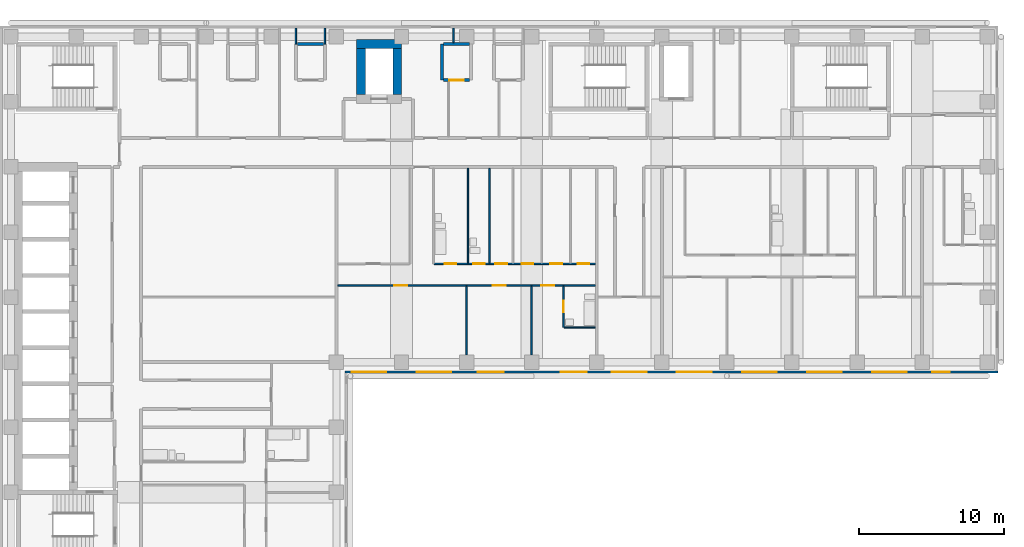
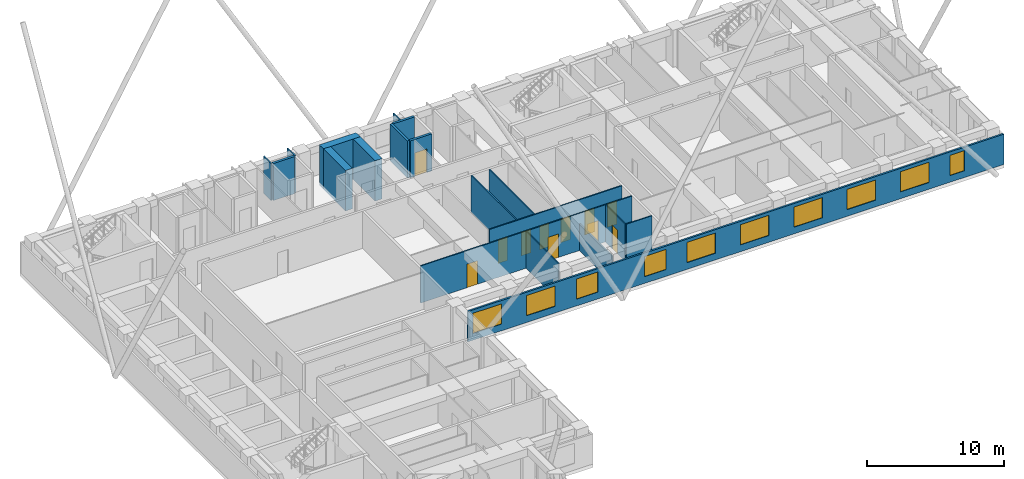
# One storey, part 7 of 13: 19 walls, 11 doors, 10 windows, 21 openings.
"""IFC4 building model written with IfcOpenShell, lengths in metres."""

import ifcopenshell
import ifcopenshell.guid

model = None  # the IFC model being written
_history = None  # IfcOwnerHistory: only IFC2X3 demands one
_inside = {}  # id of a spatial element -> (the spatial element, [elements in it])
_under = {}  # id of a project, library or spatial element -> (it, [spatial elements below it])
_declared = {}  # id of a project -> (the project, [libraries it declares])
_typed = {}  # id of a type object -> (the type object, [elements of that type])
_made_of = {}  # id of a material, layer set ... -> (it, [elements and type objects made of it])


def new_model(schema):
    """Start an empty IFC model of exactly this schema.

    Asked for "IFC4X3", IfcOpenShell would pick the latest addendum, in which some entities
    have other attributes; the version numbers below select the first issue.
    IFC2X3 requires an IfcOwnerHistory on every rooted entity: one is made here for all.
    """
    global model, _history
    if schema == "IFC4X3":
        model = ifcopenshell.file(schema_version=(4, 3, 0, 0))
    else:
        model = ifcopenshell.file(schema=schema)
    _inside.clear()
    _under.clear()
    _declared.clear()
    _typed.clear()
    _made_of.clear()
    _history = None
    if model.schema == "IFC2X3":
        org = make("IfcOrganization", Name="unknown")
        user = make(
            "IfcPersonAndOrganization",
            ThePerson=make("IfcPerson", FamilyName="unknown"),
            TheOrganization=org,
        )
        app = make(
            "IfcApplication",
            ApplicationDeveloper=org,
            Version="unknown",
            ApplicationFullName="unknown",
            ApplicationIdentifier="unknown",
        )
        _history = make(
            "IfcOwnerHistory",
            OwningUser=user,
            OwningApplication=app,
            ChangeAction="ADDED",
            CreationDate=0,
        )
    return model


def make(cls, **values):
    """One entity of the class cls with the attributes given. An attribute that is None is left unset."""
    return model.create_entity(
        cls, **{name: value for name, value in values.items() if value is not None}
    )


def rooted(cls, **values):
    """An entity with a GlobalId (a new one), such as an element, a storey or a relation."""
    return make(cls, GlobalId=ifcopenshell.guid.new(), OwnerHistory=_history, **values)


def si_unit(unit_type, name, prefix=None):
    """IfcSIUnit, for example si_unit("LENGTHUNIT", "METRE", prefix="MILLI")."""
    return make("IfcSIUnit", UnitType=unit_type, Prefix=prefix, Name=name)


def assignment(units):
    """IfcUnitAssignment: the units of a project."""
    return None if units is None else make("IfcUnitAssignment", Units=units)


def point(xyz):
    """IfcCartesianPoint."""
    return None if xyz is None else make("IfcCartesianPoint", Coordinates=xyz)


def direction(xyz):
    """IfcDirection."""
    return None if xyz is None else make("IfcDirection", DirectionRatios=xyz)


def frame(location, z_axis=None, x_axis=None):
    """IfcAxis2Placement3D, a coordinate frame: its origin and axes. An axis left out is left unset."""
    return make(
        "IfcAxis2Placement3D",
        Location=point(location),
        Axis=direction(z_axis),
        RefDirection=direction(x_axis),
    )


def frame_2d(location, x_axis=None):
    """IfcAxis2Placement2D, a coordinate frame in the plane: its origin and x axis."""
    return make(
        "IfcAxis2Placement2D", Location=point(location), RefDirection=direction(x_axis)
    )


def origin():
    """The frame at (0, 0, 0) with its axes left unset."""
    return frame((0.0, 0.0, 0.0))


def place(relative_to, where):
    """IfcLocalPlacement: puts the frame where relative to a parent placement (None: the world)."""
    return make(
        "IfcLocalPlacement", PlacementRelTo=relative_to, RelativePlacement=where
    )


def context(
    kind, dimensions, precision=None, world=None, true_north=None, identifier=None
):
    """IfcGeometricRepresentationContext, for example the 3D "Model" context."""
    return make(
        "IfcGeometricRepresentationContext",
        ContextIdentifier=identifier,
        ContextType=kind,
        CoordinateSpaceDimension=dimensions,
        Precision=precision,
        WorldCoordinateSystem=world,
        TrueNorth=true_north,
    )


def subcontext(parent, identifier, kind, view, scale=None):
    """IfcGeometricRepresentationSubContext, for example "Body" below "Model"."""
    return make(
        "IfcGeometricRepresentationSubContext",
        ContextIdentifier=identifier,
        ContextType=kind,
        ParentContext=parent,
        TargetScale=scale,
        TargetView=view,
    )


def project(units=None, contexts=None):
    """IfcProject with its units and contexts."""
    return rooted(
        "IfcProject",
        Name="project",
        RepresentationContexts=contexts,
        UnitsInContext=assignment(units),
    )


def spatial(cls, under=None, at=None, **own):
    """A site, building, storey or space (cls), placed at a placement, below another one or the project."""
    s = rooted(cls, ObjectPlacement=at, **own)
    if under is not None:
        _under.setdefault(under.id(), (under, []))[1].append(s)
    return s


def profile(cls, at=None, kind="AREA", **sizes):
    """A parametric profile (cls). Its sizes go by their IFC names, for example OverallWidth=200.0."""
    return make(cls, ProfileType=kind, Position=at, **sizes)


def rectangle(**sizes):
    """IfcRectangleProfileDef."""
    return profile("IfcRectangleProfileDef", **sizes)


def extrude(swept, where, along, depth):
    """IfcExtrudedAreaSolid: the profile swept, set in the frame where, extruded along a direction by depth."""
    return make(
        "IfcExtrudedAreaSolid",
        SweptArea=swept,
        Position=where,
        ExtrudedDirection=direction(along),
        Depth=depth,
    )


def shape(context_of_items, identifier, shape_type, items):
    """IfcShapeRepresentation: the items that make up one representation, for example the "Body"."""
    return make(
        "IfcShapeRepresentation",
        ContextOfItems=context_of_items,
        RepresentationIdentifier=identifier,
        RepresentationType=shape_type,
        Items=items,
    )


def material(Name=None, Category=None):
    """IfcMaterial."""
    return make("IfcMaterial", Name=Name, Category=Category)


def layer(
    of_material, thickness, ventilated=None, Name=None, Category=None, Priority=None
):
    """IfcMaterialLayer: one layer of a wall or slab, of a material (None: an air gap)."""
    return make(
        "IfcMaterialLayer",
        Material=of_material,
        LayerThickness=thickness,
        IsVentilated=ventilated,
        Name=Name,
        Category=Category,
        Priority=Priority,
    )


def layer_set(layers, Name=None):
    """IfcMaterialLayerSet."""
    return make("IfcMaterialLayerSet", MaterialLayers=layers, LayerSetName=Name)


def made_of(thing, what):
    """Note that an element or type object is made of a material, layer set ...; save() writes the relation."""
    if what is not None:
        _made_of.setdefault(what.id(), (what, []))[1].append(thing)
    return thing


def type_object(cls, material=None, **own):
    """A type object (cls), such as IfcWallType, which elements share."""
    return made_of(rooted(cls, **own), material)


def element(
    cls,
    number,
    at=None,
    inside=None,
    cuts=None,
    type_object=None,
    material=None,
    context=None,
    identifier="Body",
    shape_type=None,
    held_by="IfcProductDefinitionShape",
    body=None,
    shapes=None,
    **own,
):
    """One element of the class cls, such as IfcWall. Its Tag is "e" and its number.

    at: its placement. inside: the storey or other place that contains it. cuts: it is an
    opening in that element (IfcRelVoidsElement). A single representation is given by context,
    identifier, shape_type and body (its items); several are given by shapes. held_by: the class
    of the entity that holds the representations. save() writes the other relations.
    """
    e = rooted(cls, Tag="e%d" % number, ObjectPlacement=at, **own)
    if body is not None:
        shapes = [shape(context, identifier, shape_type, body)]
    if shapes is not None:
        e.Representation = make(held_by, Representations=shapes)
    if inside is not None:
        _inside.setdefault(inside.id(), (inside, []))[1].append(e)
    if cuts is not None:
        rooted(
            "IfcRelVoidsElement", RelatingBuildingElement=cuts, RelatedOpeningElement=e
        )
    if type_object is not None:
        _typed.setdefault(type_object.id(), (type_object, []))[1].append(e)
    return made_of(e, material)


def fill(opening, filler):
    """IfcRelFillsElement: the door or window that sits in an opening."""
    return rooted(
        "IfcRelFillsElement",
        RelatingOpeningElement=opening,
        RelatedBuildingElement=filler,
    )


def aggregate(whole, parts):
    """IfcRelAggregates: a whole, such as a stair, and the parts it consists of."""
    return rooted("IfcRelAggregates", RelatingObject=whole, RelatedObjects=parts)


def save(model, path):
    """Write the relations noted so far, then the file.

    IfcRelAggregates (storeys below a building ...), IfcRelContainedInSpatialStructure (elements
    in a storey), IfcRelDefinesByType, IfcRelAssociatesMaterial and IfcRelDeclares: one each for
    every whole, place, type object, material and project.
    """
    for whole, parts in _under.values():
        aggregate(whole, parts)
    for where, things in _inside.values():
        rooted(
            "IfcRelContainedInSpatialStructure",
            RelatedElements=things,
            RelatingStructure=where,
        )
    for kind, things in _typed.values():
        rooted("IfcRelDefinesByType", RelatedObjects=things, RelatingType=kind)
    for what, things in _made_of.values():
        rooted("IfcRelAssociatesMaterial", RelatedObjects=things, RelatingMaterial=what)
    for by, libraries in _declared.values():
        rooted("IfcRelDeclares", RelatingContext=by, RelatedDefinitions=libraries)
    model.write(path)


model = new_model("IFC4")

# Units and contexts
model_context = context("Model", 3, precision=1e-05, world=origin(), true_north=direction((0.0, 1.0)))
body_context = subcontext(model_context, "Body", "Model", "MODEL_VIEW")
ifc_project = project(units=[si_unit("LENGTHUNIT", "METRE"), si_unit("AREAUNIT", "SQUARE_METRE"), si_unit("VOLUMEUNIT", "CUBIC_METRE"), si_unit("PLANEANGLEUNIT", "RADIAN"), si_unit("MASSUNIT", "GRAM", prefix="KILO")], contexts=[model_context])

# Site, building, storey
site_placement = place(None, origin())
site = spatial("IfcSite", under=ifc_project, at=site_placement, CompositionType="ELEMENT")
building_placement = place(site_placement, origin())
building = spatial("IfcBuilding", under=site, at=building_placement, Name="Firuza Court", CompositionType="ELEMENT")
storey_placement = place(building_placement, frame((0.0, 0.0, 162.800048828125)))
storey = spatial("IfcBuildingStorey", under=building, at=storey_placement, Name="L41", CompositionType="ELEMENT", Elevation=162.800048828125)

# Wall, opening, door
ifc_material_1 = material(Name="Moisture-resistant gypsum board partition")
ifc_layer_1 = layer(ifc_material_1, 0.10009765625)
ifc_layer_set_1 = layer_set([ifc_layer_1], Name="Moisture-resistant gypsum board partition")
wall_type_1 = type_object("IfcWallType", Name="Bathroom partition 100", PredefinedType="PLUMBINGWALL", material=ifc_layer_set_1)
wall_1_placement = place(storey_placement, frame((38.199951171875, 38.39990234375, 0.0), z_axis=(0.0, 0.0, 1.0), x_axis=(0.0, 1.0, 0.0)))
wall_1 = element("IfcWall", 1, at=wall_1_placement, inside=storey, type_object=wall_type_1, Name="Bathroom partition 100 L41", PredefinedType="PLUMBINGWALL", context=body_context, shape_type="SweptSolid", body=[
    extrude(rectangle(XDim=2.85009765625, YDim=0.10009765625, at=frame_2d((1.425048828125, 0.0))), origin(), (0.0, 0.0, 1.0), 3.300048828125),
])
opening_1_placement = place(wall_1_placement, frame((1.050048828125, 0.0, 0.0)))
opening_1 = element("IfcOpeningElement", 2, at=opening_1_placement, cuts=wall_1, Name="Opening D41039", PredefinedType="OPENING", context=body_context, shape_type="SweptSolid", body=[
    extrude(rectangle(XDim=0.800048828125, YDim=2.10009765625, at=frame_2d((0.39990234375, 1.050048828125))), frame((0.0, 0.06201171875, 0.0), z_axis=(0.0, -1.0, 0.0), x_axis=(1.0, 0.0, 0.0)), (0.0, 0.0, 1.0), 0.1240234375),
])
ifc_material_2 = material(Name="Timber door leaf in hardwood frame", Category="wood")
door_type_1 = type_object("IfcDoorType", Name="Bathroom door 800", OperationType="SINGLE_SWING_LEFT", PredefinedType="DOOR", material=ifc_material_2)
door_1_placement = place(opening_1_placement, frame((0.800048828125, 0.0, 0.0), z_axis=(0.0, 0.0, 1.0), x_axis=(-1.0, 0.0, 0.0)))
door_1 = element("IfcDoor", 3, at=door_1_placement, inside=storey, type_object=door_type_1, Name="En-suite door", OperationType="SINGLE_SWING_RIGHT", OverallHeight=2.10009765625, OverallWidth=0.800048828125, PredefinedType="DOOR", context=body_context, shape_type="SweptSolid", body=[
    extrude(rectangle(XDim=0.800048828125, YDim=2.10009765625, at=frame_2d((0.39990234375, 1.050048828125))), frame((0.0, 0.02490234375, 0.0), z_axis=(0.0, -1.0, 0.0), x_axis=(1.0, 0.0, 0.0)), (0.0, 0.0, 1.0), 0.050048828125),
])
fill(opening_1, door_1)

# Walls
wall_2_placement = place(storey_placement, frame((38.25, 38.39990234375, 0.0), z_axis=(0.0, 0.0, 1.0), x_axis=(1.0, 0.0, 0.0)))
element("IfcWall", 4, at=wall_2_placement, inside=storey, type_object=wall_type_1, Name="Bathroom partition 100 L41", PredefinedType="PLUMBINGWALL", context=body_context, shape_type="SweptSolid", body=[
    extrude(rectangle(XDim=2.14990234375, YDim=0.10009765625, at=frame_2d((1.074951171875, 0.0))), origin(), (0.0, 0.0, 1.0), 3.300048828125),
])
for number, where, z_axis, x_axis, name in (
    (5, (31.60009765625, 42.85009765625, 0.0), (0.0, 0.0, 1.0), (0.0, 1.0, 0.0), "Bathroom partition 100 L41"),
    (6, (33.10009765625, 42.85009765625, 0.0), (0.0, 0.0, 1.0), (0.0, 1.0, 0.0), "Bathroom partition 100 L41"),
):
    element("IfcWall", number, at=place(storey_placement, frame(where, z_axis=z_axis, x_axis=x_axis)), inside=storey, type_object=wall_type_1, Name=name, PredefinedType="PLUMBINGWALL", context=body_context, shape_type="SweptSolid", body=[
        extrude(rectangle(XDim=6.5498046875, YDim=0.10009765625, at=frame_2d((3.27490234375, 0.0))), origin(), (0.0, 0.0, 1.0), 3.300048828125),
    ])
ifc_material_3 = material(Name="Concrete C60/75", Category="concrete")
ifc_layer_2 = layer(ifc_material_3, 0.60009765625)
ifc_layer_set_2 = layer_set([ifc_layer_2], Name="Concrete C60/75")
wall_type_2 = type_object("IfcWallType", Name="Core wall 600 C60/75", PredefinedType="SHEAR", material=ifc_layer_set_2)
wall_3_placement = place(storey_placement, frame((23.89990234375, 58.0, -0.300048828125), z_axis=(0.0, 0.0, 1.0), x_axis=(1.0, 0.0, 0.0)))
element("IfcWall", 7, at=wall_3_placement, inside=storey, type_object=wall_type_2, Name="Core wall lift shaft L41", PredefinedType="SHEAR", context=body_context, shape_type="SweptSolid", body=[
    extrude(rectangle(XDim=3.10009765625, YDim=0.60009765625, at=frame_2d((1.550048828125, 0.0))), origin(), (0.0, 0.0, 1.0), 3.60009765625),
])
for number, where, z_axis, x_axis, name in (
    (8, (24.199951171875, 54.5, -0.300048828125), (0.0, 0.0, 1.0), (0.0, 1.0, 0.0), "Core wall lift shaft L41"),
    (9, (26.699951171875, 54.5, -0.300048828125), (0.0, 0.0, 1.0), (0.0, 1.0, 0.0), "Core wall lift shaft L41"),
):
    element("IfcWall", number, at=place(storey_placement, frame(where, z_axis=z_axis, x_axis=x_axis)), inside=storey, type_object=wall_type_2, Name=name, PredefinedType="SHEAR", context=body_context, shape_type="SweptSolid", body=[
        extrude(rectangle(XDim=3.199951171875, YDim=0.60009765625, at=frame_2d((1.60009765625, 0.0))), origin(), (0.0, 0.0, 1.0), 3.60009765625),
    ])
ifc_material_4 = material(Name="Timber stud partition, plasterboard both sides", Category="wood")
ifc_layer_3 = layer(ifc_material_4, 0.10009765625)
ifc_layer_set_3 = layer_set([ifc_layer_3], Name="Timber stud partition, plasterboard both sides")
wall_type_3 = type_object("IfcWallType", Name="Partition wall 100", PredefinedType="PARTITIONING", material=ifc_layer_set_3)
wall_4_placement = place(storey_placement, frame((31.5, 36.5, 0.0), z_axis=(0.0, 0.0, 1.0), x_axis=(0.0, 1.0, 0.0)))
element("IfcWall", 10, at=wall_4_placement, inside=storey, type_object=wall_type_3, Name="Partition wall 100 L41", PredefinedType="PARTITIONING", context=body_context, shape_type="SweptSolid", body=[
    extrude(rectangle(XDim=4.75, YDim=0.10009765625, at=frame_2d((2.375, 0.0))), origin(), (0.0, 0.0, 1.0), 3.300048828125),
])
wall_5_placement = place(storey_placement, frame((36.0, 36.5, 0.0), z_axis=(0.0, 0.0, 1.0), x_axis=(0.0, 1.0, 0.0)))
element("IfcWall", 11, at=wall_5_placement, inside=storey, type_object=wall_type_3, Name="Partition wall 100 L41", PredefinedType="PARTITIONING", context=body_context, shape_type="SweptSolid", body=[
    extrude(rectangle(XDim=4.75, YDim=0.10009765625, at=frame_2d((2.375, 0.0))), origin(), (0.0, 0.0, 1.0), 2.39990234375),
])

# Wall, openings, doors
wall_6_placement = place(storey_placement, frame((22.60009765625, 41.300048828125, 0.0), z_axis=(0.0, 0.0, 1.0), x_axis=(1.0, 0.0, 0.0)))
wall_6 = element("IfcWall", 12, at=wall_6_placement, inside=storey, type_object=wall_type_3, Name="Partition wall 100 L41", PredefinedType="PARTITIONING", context=body_context, shape_type="SweptSolid", body=[
    extrude(rectangle(XDim=17.7998046875, YDim=0.10009765625, at=frame_2d((8.89990234375, 0.0))), origin(), (0.0, 0.0, 1.0), 3.300048828125),
])
opening_2_placement = place(wall_6_placement, frame((3.89990234375, 0.0, 0.0)))
opening_2 = element("IfcOpeningElement", 13, at=opening_2_placement, cuts=wall_6, Name="Opening D41046", PredefinedType="OPENING", context=body_context, shape_type="SweptSolid", body=[
    extrude(rectangle(XDim=0.89990234375, YDim=2.10009765625, at=frame_2d((0.449951171875, 1.050048828125))), frame((0.0, 0.06201171875, 0.0), z_axis=(0.0, -1.0, 0.0), x_axis=(1.0, 0.0, 0.0)), (0.0, 0.0, 1.0), 0.1240234375),
])
opening_3_placement = place(wall_6_placement, frame((10.699951171875, 0.0, 0.0)))
opening_3 = element("IfcOpeningElement", 14, at=opening_3_placement, cuts=wall_6, Name="Opening D41047", PredefinedType="OPENING", context=body_context, shape_type="SweptSolid", body=[
    extrude(rectangle(XDim=0.89990234375, YDim=2.10009765625, at=frame_2d((0.449951171875, 1.050048828125))), frame((0.0, 0.06201171875, 0.0), z_axis=(0.0, -1.0, 0.0), x_axis=(1.0, 0.0, 0.0)), (0.0, 0.0, 1.0), 0.1240234375),
])
opening_4_placement = place(wall_6_placement, frame((14.050048828125, 0.0, 0.0)))
opening_4 = element("IfcOpeningElement", 15, at=opening_4_placement, cuts=wall_6, Name="Opening D41048", PredefinedType="OPENING", context=body_context, shape_type="SweptSolid", body=[
    extrude(rectangle(XDim=0.89990234375, YDim=2.10009765625, at=frame_2d((0.449951171875, 1.050048828125))), frame((0.0, 0.06201171875, 0.0), z_axis=(0.0, -1.0, 0.0), x_axis=(1.0, 0.0, 0.0)), (0.0, 0.0, 1.0), 0.1240234375),
])
ifc_material_5 = material(Name="Timber door leaf in hardwood frame", Category="wood")
door_type_2 = type_object("IfcDoorType", Name="Room door 900", OperationType="SINGLE_SWING_LEFT", PredefinedType="DOOR", material=ifc_material_5)
door_2_placement = place(opening_2_placement, frame((0.89990234375, 0.0, 0.0), z_axis=(0.0, 0.0, 1.0), x_axis=(-1.0, 0.0, 0.0)))
door_2 = element("IfcDoor", 16, at=door_2_placement, inside=storey, type_object=door_type_2, Name="Living room door", OperationType="SINGLE_SWING_RIGHT", OverallHeight=2.10009765625, OverallWidth=0.89990234375, PredefinedType="DOOR", context=body_context, shape_type="SweptSolid", body=[
    extrude(rectangle(XDim=0.89990234375, YDim=2.10009765625, at=frame_2d((0.449951171875, 1.050048828125))), frame((0.0, 0.02490234375, 0.0), z_axis=(0.0, -1.0, 0.0), x_axis=(1.0, 0.0, 0.0)), (0.0, 0.0, 1.0), 0.050048828125),
])
fill(opening_2, door_2)
door_3_placement = place(opening_3_placement, frame((0.89990234375, 0.0, 0.0), z_axis=(0.0, 0.0, 1.0), x_axis=(-1.0, 0.0, 0.0)))
door_3 = element("IfcDoor", 17, at=door_3_placement, inside=storey, type_object=door_type_2, Name="Bedroom door", OperationType="SINGLE_SWING_RIGHT", OverallHeight=2.10009765625, OverallWidth=0.89990234375, PredefinedType="DOOR", context=body_context, shape_type="SweptSolid", body=[
    extrude(rectangle(XDim=0.89990234375, YDim=2.10009765625, at=frame_2d((0.449951171875, 1.050048828125))), frame((0.0, 0.02490234375, 0.0), z_axis=(0.0, -1.0, 0.0), x_axis=(1.0, 0.0, 0.0)), (0.0, 0.0, 1.0), 0.050048828125),
])
fill(opening_3, door_3)
door_4_placement = place(opening_4_placement, frame((0.89990234375, 0.0, 0.0), z_axis=(0.0, 0.0, 1.0), x_axis=(-1.0, 0.0, 0.0)))
door_4 = element("IfcDoor", 18, at=door_4_placement, inside=storey, type_object=door_type_2, Name="Bedroom door", OperationType="SINGLE_SWING_RIGHT", OverallHeight=2.10009765625, OverallWidth=0.89990234375, PredefinedType="DOOR", context=body_context, shape_type="SweptSolid", body=[
    extrude(rectangle(XDim=0.89990234375, YDim=2.10009765625, at=frame_2d((0.449951171875, 1.050048828125))), frame((0.0, 0.02490234375, 0.0), z_axis=(0.0, -1.0, 0.0), x_axis=(1.0, 0.0, 0.0)), (0.0, 0.0, 1.0), 0.050048828125),
])
fill(opening_4, door_4)

wall_7_placement = place(storey_placement, frame((29.25, 42.800048828125, 0.0), z_axis=(0.0, 0.0, 1.0), x_axis=(1.0, 0.0, 0.0)))
wall_7 = element("IfcWall", 19, at=wall_7_placement, inside=storey, type_object=wall_type_3, Name="Partition wall 100 L41", PredefinedType="PARTITIONING", context=body_context, shape_type="SweptSolid", body=[
    extrude(rectangle(XDim=11.14990234375, YDim=0.10009765625, at=frame_2d((5.574951171875, 0.0))), origin(), (0.0, 0.0, 1.0), 3.300048828125),
])
opening_5_placement = place(wall_7_placement, frame((0.75, 0.0, 0.0)))
opening_5 = element("IfcOpeningElement", 20, at=opening_5_placement, cuts=wall_7, Name="Opening D41054", PredefinedType="OPENING", context=body_context, shape_type="SweptSolid", body=[
    extrude(rectangle(XDim=0.800048828125, YDim=2.10009765625, at=frame_2d((0.39990234375, 1.050048828125))), frame((0.0, 0.06201171875, 0.0), z_axis=(0.0, -1.0, 0.0), x_axis=(1.0, 0.0, 0.0)), (0.0, 0.0, 1.0), 0.1240234375),
])
opening_6_placement = place(wall_7_placement, frame((8.050048828125, 0.0, 0.0)))
opening_6 = element("IfcOpeningElement", 21, at=opening_6_placement, cuts=wall_7, Name="Opening D41055", PredefinedType="OPENING", context=body_context, shape_type="SweptSolid", body=[
    extrude(rectangle(XDim=0.800048828125, YDim=2.10009765625, at=frame_2d((0.39990234375, 1.050048828125))), frame((0.0, 0.06201171875, 0.0), z_axis=(0.0, -1.0, 0.0), x_axis=(1.0, 0.0, 0.0)), (0.0, 0.0, 1.0), 0.1240234375),
])
opening_7_placement = place(wall_7_placement, frame((4.25, 0.0, 0.0)))
opening_7 = element("IfcOpeningElement", 22, at=opening_7_placement, cuts=wall_7, Name="Opening D41056", PredefinedType="OPENING", context=body_context, shape_type="SweptSolid", body=[
    extrude(rectangle(XDim=0.800048828125, YDim=2.10009765625, at=frame_2d((0.39990234375, 1.050048828125))), frame((0.0, 0.06201171875, 0.0), z_axis=(0.0, -1.0, 0.0), x_axis=(1.0, 0.0, 0.0)), (0.0, 0.0, 1.0), 0.1240234375),
])
opening_8_placement = place(wall_7_placement, frame((6.050048828125, 0.0, 0.0)))
opening_8 = element("IfcOpeningElement", 23, at=opening_8_placement, cuts=wall_7, Name="Opening D41057", PredefinedType="OPENING", context=body_context, shape_type="SweptSolid", body=[
    extrude(rectangle(XDim=0.800048828125, YDim=2.10009765625, at=frame_2d((0.39990234375, 1.050048828125))), frame((0.0, 0.06201171875, 0.0), z_axis=(0.0, -1.0, 0.0), x_axis=(1.0, 0.0, 0.0)), (0.0, 0.0, 1.0), 0.1240234375),
])
opening_9_placement = place(wall_7_placement, frame((9.949951171875, 0.0, 0.0)))
opening_9 = element("IfcOpeningElement", 24, at=opening_9_placement, cuts=wall_7, Name="Opening D41058", PredefinedType="OPENING", context=body_context, shape_type="SweptSolid", body=[
    extrude(rectangle(XDim=0.800048828125, YDim=2.10009765625, at=frame_2d((0.39990234375, 1.050048828125))), frame((0.0, 0.06201171875, 0.0), z_axis=(0.0, -1.0, 0.0), x_axis=(1.0, 0.0, 0.0)), (0.0, 0.0, 1.0), 0.1240234375),
])
opening_10_placement = place(wall_7_placement, frame((2.699951171875, 0.0, 0.0)))
opening_10 = element("IfcOpeningElement", 25, at=opening_10_placement, cuts=wall_7, Name="Opening D41059", PredefinedType="OPENING", context=body_context, shape_type="SweptSolid", body=[
    extrude(rectangle(XDim=0.800048828125, YDim=2.10009765625, at=frame_2d((0.39990234375, 1.050048828125))), frame((0.0, 0.06201171875, 0.0), z_axis=(0.0, -1.0, 0.0), x_axis=(1.0, 0.0, 0.0)), (0.0, 0.0, 1.0), 0.1240234375),
])
door_5_placement = place(opening_5_placement, origin())
door_5 = element("IfcDoor", 26, at=door_5_placement, inside=storey, type_object=door_type_1, Name="Bathroom door", OperationType="SINGLE_SWING_LEFT", OverallHeight=2.10009765625, OverallWidth=0.800048828125, PredefinedType="DOOR", context=body_context, shape_type="SweptSolid", body=[
    extrude(rectangle(XDim=0.800048828125, YDim=2.10009765625, at=frame_2d((0.39990234375, 1.050048828125))), frame((0.0, 0.02490234375, 0.0), z_axis=(0.0, -1.0, 0.0), x_axis=(1.0, 0.0, 0.0)), (0.0, 0.0, 1.0), 0.050048828125),
])
fill(opening_5, door_5)
door_6_placement = place(opening_10_placement, origin())
door_6 = element("IfcDoor", 27, at=door_6_placement, inside=storey, type_object=door_type_1, Name="Powder room door", OperationType="SINGLE_SWING_LEFT", OverallHeight=2.10009765625, OverallWidth=0.800048828125, PredefinedType="DOOR", context=body_context, shape_type="SweptSolid", body=[
    extrude(rectangle(XDim=0.800048828125, YDim=2.10009765625, at=frame_2d((0.39990234375, 1.050048828125))), frame((0.0, 0.02490234375, 0.0), z_axis=(0.0, -1.0, 0.0), x_axis=(1.0, 0.0, 0.0)), (0.0, 0.0, 1.0), 0.050048828125),
])
fill(opening_10, door_6)
ifc_material_6 = material(Name="Timber door leaf in hardwood frame", Category="wood")
door_type_3 = type_object("IfcDoorType", Name="Room door 800", OperationType="SINGLE_SWING_LEFT", PredefinedType="DOOR", material=ifc_material_6)
door_7_placement = place(opening_6_placement, origin())
door_7 = element("IfcDoor", 28, at=door_7_placement, inside=storey, type_object=door_type_3, Name="Pantry door", OperationType="SINGLE_SWING_LEFT", OverallHeight=2.10009765625, OverallWidth=0.800048828125, PredefinedType="DOOR", context=body_context, shape_type="SweptSolid", body=[
    extrude(rectangle(XDim=0.800048828125, YDim=2.10009765625, at=frame_2d((0.39990234375, 1.050048828125))), frame((0.0, 0.02490234375, 0.0), z_axis=(0.0, -1.0, 0.0), x_axis=(1.0, 0.0, 0.0)), (0.0, 0.0, 1.0), 0.050048828125),
])
fill(opening_6, door_7)
door_8_placement = place(opening_7_placement, origin())
door_8 = element("IfcDoor", 29, at=door_8_placement, inside=storey, type_object=door_type_3, Name="Store door", OperationType="SINGLE_SWING_LEFT", OverallHeight=2.10009765625, OverallWidth=0.800048828125, PredefinedType="DOOR", context=body_context, shape_type="SweptSolid", body=[
    extrude(rectangle(XDim=0.800048828125, YDim=2.10009765625, at=frame_2d((0.39990234375, 1.050048828125))), frame((0.0, 0.02490234375, 0.0), z_axis=(0.0, -1.0, 0.0), x_axis=(1.0, 0.0, 0.0)), (0.0, 0.0, 1.0), 0.050048828125),
])
fill(opening_7, door_8)
door_9_placement = place(opening_8_placement, origin())
door_9 = element("IfcDoor", 30, at=door_9_placement, inside=storey, type_object=door_type_3, Name="Utility room door", OperationType="SINGLE_SWING_LEFT", OverallHeight=2.10009765625, OverallWidth=0.800048828125, PredefinedType="DOOR", context=body_context, shape_type="SweptSolid", body=[
    extrude(rectangle(XDim=0.800048828125, YDim=2.10009765625, at=frame_2d((0.39990234375, 1.050048828125))), frame((0.0, 0.02490234375, 0.0), z_axis=(0.0, -1.0, 0.0), x_axis=(1.0, 0.0, 0.0)), (0.0, 0.0, 1.0), 0.050048828125),
])
fill(opening_8, door_9)
door_10_placement = place(opening_9_placement, origin())
door_10 = element("IfcDoor", 31, at=door_10_placement, inside=storey, type_object=door_type_3, Name="Walk-in wardrobe door", OperationType="SINGLE_SWING_LEFT", OverallHeight=2.10009765625, OverallWidth=0.800048828125, PredefinedType="DOOR", context=body_context, shape_type="SweptSolid", body=[
    extrude(rectangle(XDim=0.800048828125, YDim=2.10009765625, at=frame_2d((0.39990234375, 1.050048828125))), frame((0.0, 0.02490234375, 0.0), z_axis=(0.0, -1.0, 0.0), x_axis=(1.0, 0.0, 0.0)), (0.0, 0.0, 1.0), 0.050048828125),
])
fill(opening_9, door_10)

# Walls
for number, where, z_axis, x_axis, name in (
    (32, (19.699951171875, 58.0, 0.0), (0.0, 0.0, 1.0), (0.0, 1.0, 0.0), "Partition wall 100 L41"),
    (33, (21.699951171875, 58.0, 0.0), (0.0, 0.0, 1.0), (0.0, 1.0, 0.0), "Partition wall 100 L41"),
):
    element("IfcWall", number, at=place(storey_placement, frame(where, z_axis=z_axis, x_axis=x_axis)), inside=storey, type_object=wall_type_3, Name=name, PredefinedType="PARTITIONING", context=body_context, shape_type="SweptSolid", body=[
        extrude(rectangle(XDim=1.10009765625, YDim=0.10009765625, at=frame_2d((0.550048828125, 0.0))), origin(), (0.0, 0.0, 1.0), 3.300048828125),
    ])
wall_8_placement = place(storey_placement, frame((30.60009765625, 58.10009765625, 0.0), z_axis=(0.0, 0.0, 1.0), x_axis=(0.0, 1.0, 0.0)))
element("IfcWall", 34, at=wall_8_placement, inside=storey, type_object=wall_type_3, Name="Partition wall 100 L41", PredefinedType="PARTITIONING", context=body_context, shape_type="SweptSolid", body=[
    extrude(rectangle(XDim=1.0, YDim=0.10009765625, at=frame_2d((0.5, 0.0))), origin(), (0.0, 0.0, 1.0), 3.300048828125),
])
ifc_material_7 = material(Name="Blockwork, fire-rated", Category="masonry")
ifc_layer_4 = layer(ifc_material_7, 0.199951171875)
ifc_layer_set_4 = layer_set([ifc_layer_4], Name="Blockwork, fire-rated")
wall_type_4 = type_object("IfcWallType", Name="Plant room wall 200", PredefinedType="PARTITIONING", material=ifc_layer_set_4)
wall_9_placement = place(storey_placement, frame((29.800048828125, 55.5, 0.0), z_axis=(0.0, 0.0, 1.0), x_axis=(0.0, 1.0, 0.0)))
element("IfcWall", 35, at=wall_9_placement, inside=storey, type_object=wall_type_4, Name="Plant room wall 200 L41", PredefinedType="PARTITIONING", context=body_context, shape_type="SweptSolid", body=[
    extrude(rectangle(XDim=2.5, YDim=0.199951171875, at=frame_2d((1.25, 0.0))), origin(), (0.0, 0.0, 1.0), 3.300048828125),
])

# Wall, opening, door
wall_10_placement = place(storey_placement, frame((29.89990234375, 55.5, 0.0), z_axis=(0.0, 0.0, 1.0), x_axis=(1.0, 0.0, 0.0)))
wall_10 = element("IfcWall", 36, at=wall_10_placement, inside=storey, type_object=wall_type_4, Name="Plant room wall 200 L41", PredefinedType="PARTITIONING", context=body_context, shape_type="SweptSolid", body=[
    extrude(rectangle(XDim=1.800048828125, YDim=0.199951171875, at=frame_2d((0.89990234375, 0.0))), origin(), (0.0, 0.0, 1.0), 3.300048828125),
])
opening_11_placement = place(wall_10_placement, frame((0.39990234375, 0.0, 0.0)))
opening_11 = element("IfcOpeningElement", 37, at=opening_11_placement, cuts=wall_10, Name="Opening D41083", PredefinedType="OPENING", context=body_context, shape_type="SweptSolid", body=[
    extrude(rectangle(XDim=1.0, YDim=2.10009765625, at=frame_2d((0.5, 1.050048828125))), frame((0.0, 0.11181640625, 0.0), z_axis=(0.0, -1.0, 0.0), x_axis=(1.0, 0.0, 0.0)), (0.0, 0.0, 1.0), 0.223876953125),
])
ifc_material_8 = material(Name="Timber door leaf in hardwood frame", Category="wood")
door_type_4 = type_object("IfcDoorType", Name="Riser door 1000", OperationType="SINGLE_SWING_LEFT", PredefinedType="DOOR", material=ifc_material_8)
door_11_placement = place(opening_11_placement, origin())
door_11 = element("IfcDoor", 38, at=door_11_placement, inside=storey, type_object=door_type_4, Name="Electrical riser door", OperationType="SINGLE_SWING_LEFT", OverallHeight=2.10009765625, OverallWidth=1.0, PredefinedType="DOOR", context=body_context, shape_type="SweptSolid", body=[
    extrude(rectangle(XDim=1.0, YDim=2.10009765625, at=frame_2d((0.5, 1.050048828125))), frame((0.0, 0.02490234375, 0.0), z_axis=(0.0, -1.0, 0.0), x_axis=(1.0, 0.0, 0.0)), (0.0, 0.0, 1.0), 0.050048828125),
])
fill(opening_11, door_11)

# Walls
for number, where, z_axis, x_axis, name in (
    (39, (19.800048828125, 58.0, 0.0), (0.0, 0.0, 1.0), (1.0, 0.0, 0.0), "Plant room wall 200 L41"),
    (40, (29.89990234375, 58.0, 0.0), (0.0, 0.0, 1.0), (1.0, 0.0, 0.0), "Plant room wall 200 L41"),
):
    element("IfcWall", number, at=place(storey_placement, frame(where, z_axis=z_axis, x_axis=x_axis)), inside=storey, type_object=wall_type_4, Name=name, PredefinedType="PARTITIONING", context=body_context, shape_type="SweptSolid", body=[
        extrude(rectangle(XDim=1.800048828125, YDim=0.199951171875, at=frame_2d((0.89990234375, 0.0))), origin(), (0.0, 0.0, 1.0), 3.300048828125),
    ])

# Wall, openings, windows
ifc_material_9 = material(Name="Ceramic tile", Category="ceramic")
ifc_layer_5 = layer(ifc_material_9, 0.02001953125)
ifc_material_10 = material(Name="Mineral wool insulation", Category="insulation")
ifc_layer_6 = layer(ifc_material_10, 0.050048828125)
ifc_material_11 = material(Name="Concrete C40/50 precast", Category="concrete")
ifc_layer_7 = layer(ifc_material_11, 0.080078125)
ifc_layer_set_5 = layer_set([ifc_layer_5, ifc_layer_6, ifc_layer_7], Name="Concrete C40/50 precast")
wall_type_5 = type_object("IfcWallType", Name="Precast cladding wall with turquoise TILE PANEL face 150", PredefinedType="STANDARD", material=ifc_layer_set_5)
wall_11_placement = place(storey_placement, frame((23.10009765625, 35.324951171875, 0.0), z_axis=(0.0, 0.0, 1.0), x_axis=(1.0, 0.0, 0.0)))
wall_11 = element("IfcWall", 41, at=wall_11_placement, inside=storey, type_object=wall_type_5, Name="Facade wall L41 S", PredefinedType="STANDARD", context=body_context, shape_type="SweptSolid", body=[
    extrude(rectangle(XDim=45.14990234375, YDim=0.14990234375, at=frame_2d((22.574951171875, 0.0))), origin(), (0.0, 0.0, 1.0), 2.699951171875),
])
opening_12_placement = place(wall_11_placement, frame((0.449951171875, 0.0, 0.60009765625)))
opening_12 = element("IfcOpeningElement", 42, at=opening_12_placement, cuts=wall_11, Name="Opening W1", PredefinedType="OPENING", context=body_context, shape_type="SweptSolid", body=[
    extrude(rectangle(XDim=2.39990234375, YDim=1.800048828125, at=frame_2d((1.199951171875, 0.89990234375))), frame((0.0, 0.0869140625, 0.0), z_axis=(0.0, -1.0, 0.0), x_axis=(1.0, 0.0, 0.0)), (0.0, 0.0, 1.0), 0.173828125),
])
opening_13_placement = place(wall_11_placement, frame((4.949951171875, 0.0, 0.60009765625)))
opening_13 = element("IfcOpeningElement", 43, at=opening_13_placement, cuts=wall_11, Name="Opening W1", PredefinedType="OPENING", context=body_context, shape_type="SweptSolid", body=[
    extrude(rectangle(XDim=2.39990234375, YDim=1.800048828125, at=frame_2d((1.199951171875, 0.89990234375))), frame((0.0, 0.0869140625, 0.0), z_axis=(0.0, -1.0, 0.0), x_axis=(1.0, 0.0, 0.0)), (0.0, 0.0, 1.0), 0.173828125),
])
opening_14_placement = place(wall_11_placement, frame((9.16748046875, 0.0, 0.60009765625)))
opening_14 = element("IfcOpeningElement", 44, at=opening_14_placement, cuts=wall_11, Name="Opening W7", PredefinedType="OPENING", context=body_context, shape_type="SweptSolid", body=[
    extrude(rectangle(XDim=1.800048828125, YDim=1.800048828125, at=frame_2d((0.89990234375, 0.89990234375))), frame((0.0, 0.0869140625, 0.0), z_axis=(0.0, -1.0, 0.0), x_axis=(1.0, 0.0, 0.0)), (0.0, 0.0, 1.0), 0.173828125),
])
opening_15_placement = place(wall_11_placement, frame((14.89501953125, 0.0, 0.60009765625)))
opening_15 = element("IfcOpeningElement", 45, at=opening_15_placement, cuts=wall_11, Name="Opening W7", PredefinedType="OPENING", context=body_context, shape_type="SweptSolid", body=[
    extrude(rectangle(XDim=1.800048828125, YDim=1.800048828125, at=frame_2d((0.89990234375, 0.89990234375))), frame((0.0, 0.0869140625, 0.0), z_axis=(0.0, -1.0, 0.0), x_axis=(1.0, 0.0, 0.0)), (0.0, 0.0, 1.0), 0.173828125),
])
opening_16_placement = place(wall_11_placement, frame((18.449951171875, 0.0, 0.60009765625)))
opening_16 = element("IfcOpeningElement", 46, at=opening_16_placement, cuts=wall_11, Name="Opening W1", PredefinedType="OPENING", context=body_context, shape_type="SweptSolid", body=[
    extrude(rectangle(XDim=2.39990234375, YDim=1.800048828125, at=frame_2d((1.199951171875, 0.89990234375))), frame((0.0, 0.0869140625, 0.0), z_axis=(0.0, -1.0, 0.0), x_axis=(1.0, 0.0, 0.0)), (0.0, 0.0, 1.0), 0.173828125),
])
opening_17_placement = place(wall_11_placement, frame((22.949951171875, 0.0, 0.60009765625)))
opening_17 = element("IfcOpeningElement", 47, at=opening_17_placement, cuts=wall_11, Name="Opening W1", PredefinedType="OPENING", context=body_context, shape_type="SweptSolid", body=[
    extrude(rectangle(XDim=2.39990234375, YDim=1.800048828125, at=frame_2d((1.199951171875, 0.89990234375))), frame((0.0, 0.0869140625, 0.0), z_axis=(0.0, -1.0, 0.0), x_axis=(1.0, 0.0, 0.0)), (0.0, 0.0, 1.0), 0.173828125),
])
opening_18_placement = place(wall_11_placement, frame((27.449951171875, 0.0, 0.60009765625)))
opening_18 = element("IfcOpeningElement", 48, at=opening_18_placement, cuts=wall_11, Name="Opening W1", PredefinedType="OPENING", context=body_context, shape_type="SweptSolid", body=[
    extrude(rectangle(XDim=2.39990234375, YDim=1.800048828125, at=frame_2d((1.199951171875, 0.89990234375))), frame((0.0, 0.0869140625, 0.0), z_axis=(0.0, -1.0, 0.0), x_axis=(1.0, 0.0, 0.0)), (0.0, 0.0, 1.0), 0.173828125),
])
opening_19_placement = place(wall_11_placement, frame((31.949951171875, 0.0, 0.60009765625)))
opening_19 = element("IfcOpeningElement", 49, at=opening_19_placement, cuts=wall_11, Name="Opening W1", PredefinedType="OPENING", context=body_context, shape_type="SweptSolid", body=[
    extrude(rectangle(XDim=2.39990234375, YDim=1.800048828125, at=frame_2d((1.199951171875, 0.89990234375))), frame((0.0, 0.0869140625, 0.0), z_axis=(0.0, -1.0, 0.0), x_axis=(1.0, 0.0, 0.0)), (0.0, 0.0, 1.0), 0.173828125),
])
opening_20_placement = place(wall_11_placement, frame((36.449951171875, 0.0, 0.60009765625)))
opening_20 = element("IfcOpeningElement", 50, at=opening_20_placement, cuts=wall_11, Name="Opening W1", PredefinedType="OPENING", context=body_context, shape_type="SweptSolid", body=[
    extrude(rectangle(XDim=2.39990234375, YDim=1.800048828125, at=frame_2d((1.199951171875, 0.89990234375))), frame((0.0, 0.0869140625, 0.0), z_axis=(0.0, -1.0, 0.0), x_axis=(1.0, 0.0, 0.0)), (0.0, 0.0, 1.0), 0.173828125),
])
opening_21_placement = place(wall_11_placement, frame((40.609619140625, 0.0, 0.60009765625)))
opening_21 = element("IfcOpeningElement", 51, at=opening_21_placement, cuts=wall_11, Name="Opening W8", PredefinedType="OPENING", context=body_context, shape_type="SweptSolid", body=[
    extrude(rectangle(XDim=1.199951171875, YDim=1.800048828125, at=frame_2d((0.60009765625, 0.89990234375))), frame((0.0, 0.0869140625, 0.0), z_axis=(0.0, -1.0, 0.0), x_axis=(1.0, 0.0, 0.0)), (0.0, 0.0, 1.0), 0.173828125),
])
ifc_material_12 = material(Name="Aluminium frame, triple clear glazing", Category="aluminium")
window_type_1 = type_object("IfcWindowType", Name="Window W1 2400 x 1800", PartitioningType="SINGLE_PANEL", PredefinedType="WINDOW", material=ifc_material_12)
window_1_placement = place(opening_12_placement, origin())
window_1 = element("IfcWindow", 52, at=window_1_placement, inside=storey, type_object=window_type_1, Name="Window L41", OverallHeight=1.800048828125, OverallWidth=2.39990234375, PartitioningType="SINGLE_PANEL", PredefinedType="WINDOW", context=body_context, shape_type="SweptSolid", body=[
    extrude(rectangle(XDim=2.39990234375, YDim=1.800048828125, at=frame_2d((1.199951171875, 0.89990234375))), frame((0.0, 0.030029296875, 0.0), z_axis=(0.0, -1.0, 0.0), x_axis=(1.0, 0.0, 0.0)), (0.0, 0.0, 1.0), 0.06005859375),
])
fill(opening_12, window_1)
window_2_placement = place(opening_13_placement, origin())
window_2 = element("IfcWindow", 53, at=window_2_placement, inside=storey, type_object=window_type_1, Name="Window L41", OverallHeight=1.800048828125, OverallWidth=2.39990234375, PartitioningType="SINGLE_PANEL", PredefinedType="WINDOW", context=body_context, shape_type="SweptSolid", body=[
    extrude(rectangle(XDim=2.39990234375, YDim=1.800048828125, at=frame_2d((1.199951171875, 0.89990234375))), frame((0.0, 0.030029296875, 0.0), z_axis=(0.0, -1.0, 0.0), x_axis=(1.0, 0.0, 0.0)), (0.0, 0.0, 1.0), 0.06005859375),
])
fill(opening_13, window_2)
window_3_placement = place(opening_16_placement, origin())
window_3 = element("IfcWindow", 54, at=window_3_placement, inside=storey, type_object=window_type_1, Name="Window L41", OverallHeight=1.800048828125, OverallWidth=2.39990234375, PartitioningType="SINGLE_PANEL", PredefinedType="WINDOW", context=body_context, shape_type="SweptSolid", body=[
    extrude(rectangle(XDim=2.39990234375, YDim=1.800048828125, at=frame_2d((1.199951171875, 0.89990234375))), frame((0.0, 0.030029296875, 0.0), z_axis=(0.0, -1.0, 0.0), x_axis=(1.0, 0.0, 0.0)), (0.0, 0.0, 1.0), 0.06005859375),
])
fill(opening_16, window_3)
window_4_placement = place(opening_17_placement, origin())
window_4 = element("IfcWindow", 55, at=window_4_placement, inside=storey, type_object=window_type_1, Name="Window L41", OverallHeight=1.800048828125, OverallWidth=2.39990234375, PartitioningType="SINGLE_PANEL", PredefinedType="WINDOW", context=body_context, shape_type="SweptSolid", body=[
    extrude(rectangle(XDim=2.39990234375, YDim=1.800048828125, at=frame_2d((1.199951171875, 0.89990234375))), frame((0.0, 0.030029296875, 0.0), z_axis=(0.0, -1.0, 0.0), x_axis=(1.0, 0.0, 0.0)), (0.0, 0.0, 1.0), 0.06005859375),
])
fill(opening_17, window_4)
window_5_placement = place(opening_18_placement, origin())
window_5 = element("IfcWindow", 56, at=window_5_placement, inside=storey, type_object=window_type_1, Name="Window L41", OverallHeight=1.800048828125, OverallWidth=2.39990234375, PartitioningType="SINGLE_PANEL", PredefinedType="WINDOW", context=body_context, shape_type="SweptSolid", body=[
    extrude(rectangle(XDim=2.39990234375, YDim=1.800048828125, at=frame_2d((1.199951171875, 0.89990234375))), frame((0.0, 0.030029296875, 0.0), z_axis=(0.0, -1.0, 0.0), x_axis=(1.0, 0.0, 0.0)), (0.0, 0.0, 1.0), 0.06005859375),
])
fill(opening_18, window_5)
window_6_placement = place(opening_19_placement, origin())
window_6 = element("IfcWindow", 57, at=window_6_placement, inside=storey, type_object=window_type_1, Name="Window L41", OverallHeight=1.800048828125, OverallWidth=2.39990234375, PartitioningType="SINGLE_PANEL", PredefinedType="WINDOW", context=body_context, shape_type="SweptSolid", body=[
    extrude(rectangle(XDim=2.39990234375, YDim=1.800048828125, at=frame_2d((1.199951171875, 0.89990234375))), frame((0.0, 0.030029296875, 0.0), z_axis=(0.0, -1.0, 0.0), x_axis=(1.0, 0.0, 0.0)), (0.0, 0.0, 1.0), 0.06005859375),
])
fill(opening_19, window_6)
window_7_placement = place(opening_20_placement, origin())
window_7 = element("IfcWindow", 58, at=window_7_placement, inside=storey, type_object=window_type_1, Name="Window L41", OverallHeight=1.800048828125, OverallWidth=2.39990234375, PartitioningType="SINGLE_PANEL", PredefinedType="WINDOW", context=body_context, shape_type="SweptSolid", body=[
    extrude(rectangle(XDim=2.39990234375, YDim=1.800048828125, at=frame_2d((1.199951171875, 0.89990234375))), frame((0.0, 0.030029296875, 0.0), z_axis=(0.0, -1.0, 0.0), x_axis=(1.0, 0.0, 0.0)), (0.0, 0.0, 1.0), 0.06005859375),
])
fill(opening_20, window_7)
ifc_material_13 = material(Name="Aluminium frame, triple clear glazing", Category="aluminium")
window_type_2 = type_object("IfcWindowType", Name="Window W7 1800 x 1800", PartitioningType="SINGLE_PANEL", PredefinedType="WINDOW", material=ifc_material_13)
window_8_placement = place(opening_14_placement, origin())
window_8 = element("IfcWindow", 59, at=window_8_placement, inside=storey, type_object=window_type_2, Name="Window L41", OverallHeight=1.800048828125, OverallWidth=1.800048828125, PartitioningType="SINGLE_PANEL", PredefinedType="WINDOW", context=body_context, shape_type="SweptSolid", body=[
    extrude(rectangle(XDim=1.800048828125, YDim=1.800048828125, at=frame_2d((0.89990234375, 0.89990234375))), frame((0.0, 0.030029296875, 0.0), z_axis=(0.0, -1.0, 0.0), x_axis=(1.0, 0.0, 0.0)), (0.0, 0.0, 1.0), 0.06005859375),
])
fill(opening_14, window_8)
window_9_placement = place(opening_15_placement, origin())
window_9 = element("IfcWindow", 60, at=window_9_placement, inside=storey, type_object=window_type_2, Name="Window L41", OverallHeight=1.800048828125, OverallWidth=1.800048828125, PartitioningType="SINGLE_PANEL", PredefinedType="WINDOW", context=body_context, shape_type="SweptSolid", body=[
    extrude(rectangle(XDim=1.800048828125, YDim=1.800048828125, at=frame_2d((0.89990234375, 0.89990234375))), frame((0.0, 0.030029296875, 0.0), z_axis=(0.0, -1.0, 0.0), x_axis=(1.0, 0.0, 0.0)), (0.0, 0.0, 1.0), 0.06005859375),
])
fill(opening_15, window_9)
ifc_material_14 = material(Name="Aluminium frame, triple clear glazing", Category="aluminium")
window_type_3 = type_object("IfcWindowType", Name="Window W8 1200 x 1800", PartitioningType="SINGLE_PANEL", PredefinedType="WINDOW", material=ifc_material_14)
window_10_placement = place(opening_21_placement, origin())
window_10 = element("IfcWindow", 61, at=window_10_placement, inside=storey, type_object=window_type_3, Name="Window L41", OverallHeight=1.800048828125, OverallWidth=1.199951171875, PartitioningType="SINGLE_PANEL", PredefinedType="WINDOW", context=body_context, shape_type="SweptSolid", body=[
    extrude(rectangle(XDim=1.199951171875, YDim=1.800048828125, at=frame_2d((0.60009765625, 0.89990234375))), frame((0.0, 0.030029296875, 0.0), z_axis=(0.0, -1.0, 0.0), x_axis=(1.0, 0.0, 0.0)), (0.0, 0.0, 1.0), 0.06005859375),
])
fill(opening_21, window_10)

save(model, "model.ifc")
